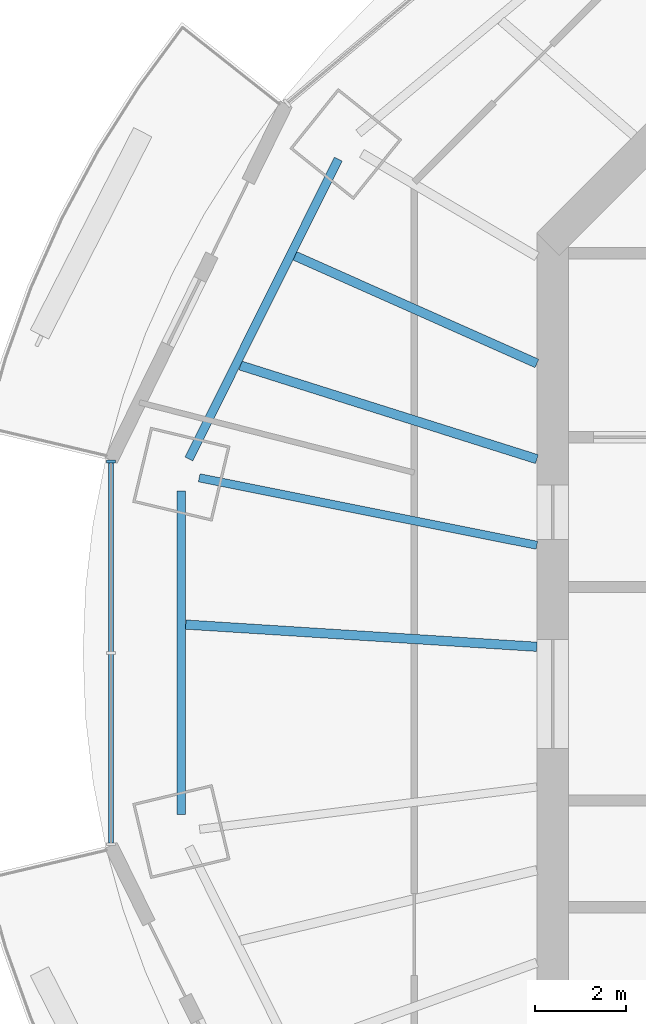
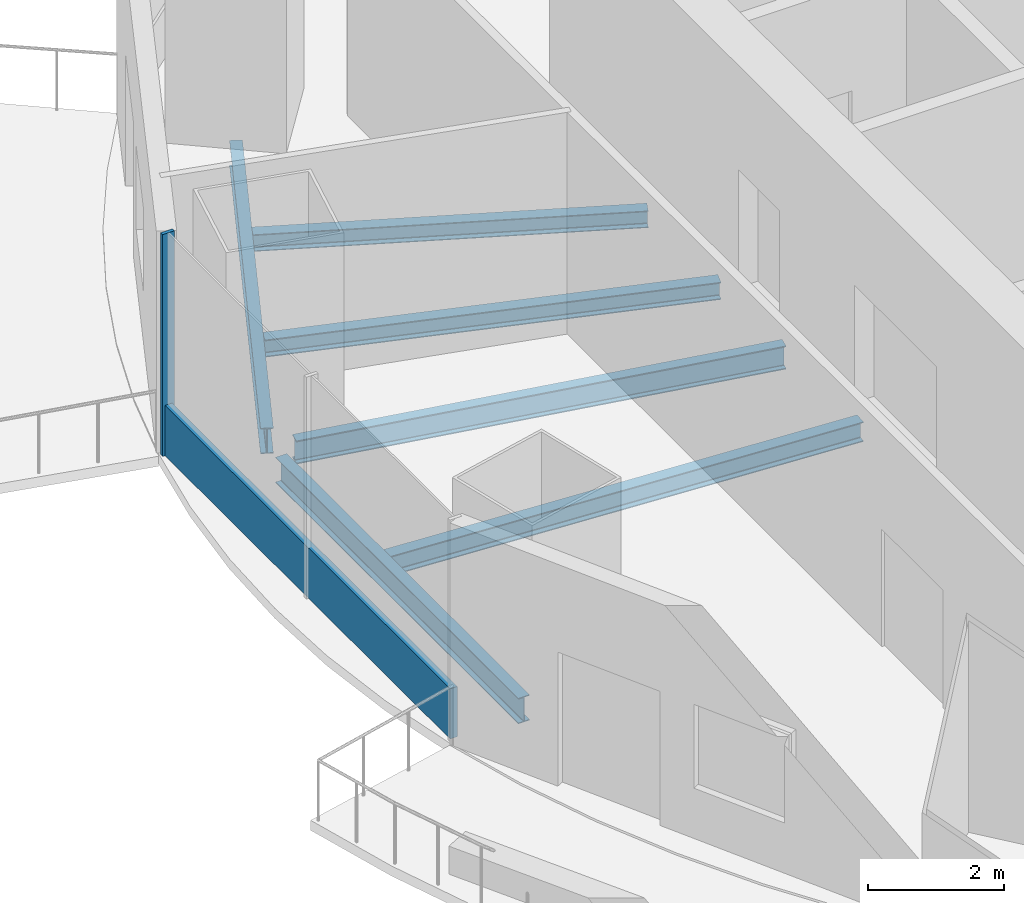
# One storey, part 3 of 16: 6 beams, 2 members, 1 element without a shape of its own.
"""IFC4 building model written with IfcOpenShell, lengths in metres."""

import ifcopenshell
import ifcopenshell.guid

model = None  # the IFC model being written
_history = None  # IfcOwnerHistory: only IFC2X3 demands one
_inside = {}  # id of a spatial element -> (the spatial element, [elements in it])
_under = {}  # id of a project, library or spatial element -> (it, [spatial elements below it])
_declared = {}  # id of a project -> (the project, [libraries it declares])
_typed = {}  # id of a type object -> (the type object, [elements of that type])
_made_of = {}  # id of a material, layer set ... -> (it, [elements and type objects made of it])


def new_model(schema):
    """Start an empty IFC model of exactly this schema.

    Asked for "IFC4X3", IfcOpenShell would pick the latest addendum, in which some entities
    have other attributes; the version numbers below select the first issue.
    IFC2X3 requires an IfcOwnerHistory on every rooted entity: one is made here for all.
    """
    global model, _history
    if schema == "IFC4X3":
        model = ifcopenshell.file(schema_version=(4, 3, 0, 0))
    else:
        model = ifcopenshell.file(schema=schema)
    _inside.clear()
    _under.clear()
    _declared.clear()
    _typed.clear()
    _made_of.clear()
    _history = None
    if model.schema == "IFC2X3":
        org = make("IfcOrganization", Name="unknown")
        user = make(
            "IfcPersonAndOrganization",
            ThePerson=make("IfcPerson", FamilyName="unknown"),
            TheOrganization=org,
        )
        app = make(
            "IfcApplication",
            ApplicationDeveloper=org,
            Version="unknown",
            ApplicationFullName="unknown",
            ApplicationIdentifier="unknown",
        )
        _history = make(
            "IfcOwnerHistory",
            OwningUser=user,
            OwningApplication=app,
            ChangeAction="ADDED",
            CreationDate=0,
        )
    return model


def make(cls, **values):
    """One entity of the class cls with the attributes given. An attribute that is None is left unset."""
    return model.create_entity(
        cls, **{name: value for name, value in values.items() if value is not None}
    )


def rooted(cls, **values):
    """An entity with a GlobalId (a new one), such as an element, a storey or a relation."""
    return make(cls, GlobalId=ifcopenshell.guid.new(), OwnerHistory=_history, **values)


def si_unit(unit_type, name, prefix=None):
    """IfcSIUnit, for example si_unit("LENGTHUNIT", "METRE", prefix="MILLI")."""
    return make("IfcSIUnit", UnitType=unit_type, Prefix=prefix, Name=name)


def assignment(units):
    """IfcUnitAssignment: the units of a project."""
    return None if units is None else make("IfcUnitAssignment", Units=units)


def point(xyz):
    """IfcCartesianPoint."""
    return None if xyz is None else make("IfcCartesianPoint", Coordinates=xyz)


def direction(xyz):
    """IfcDirection."""
    return None if xyz is None else make("IfcDirection", DirectionRatios=xyz)


def frame(location, z_axis=None, x_axis=None):
    """IfcAxis2Placement3D, a coordinate frame: its origin and axes. An axis left out is left unset."""
    return make(
        "IfcAxis2Placement3D",
        Location=point(location),
        Axis=direction(z_axis),
        RefDirection=direction(x_axis),
    )


def frame_2d(location, x_axis=None):
    """IfcAxis2Placement2D, a coordinate frame in the plane: its origin and x axis."""
    return make(
        "IfcAxis2Placement2D", Location=point(location), RefDirection=direction(x_axis)
    )


def origin():
    """The frame at (0, 0, 0) with its axes left unset."""
    return frame((0.0, 0.0, 0.0))


def origin_2d():
    """The frame at (0, 0) in the plane with its x axis left unset."""
    return frame_2d((0.0, 0.0))


def place(relative_to, where):
    """IfcLocalPlacement: puts the frame where relative to a parent placement (None: the world)."""
    return make(
        "IfcLocalPlacement", PlacementRelTo=relative_to, RelativePlacement=where
    )


def context(
    kind, dimensions, precision=None, world=None, true_north=None, identifier=None
):
    """IfcGeometricRepresentationContext, for example the 3D "Model" context."""
    return make(
        "IfcGeometricRepresentationContext",
        ContextIdentifier=identifier,
        ContextType=kind,
        CoordinateSpaceDimension=dimensions,
        Precision=precision,
        WorldCoordinateSystem=world,
        TrueNorth=true_north,
    )


def subcontext(parent, identifier, kind, view, scale=None):
    """IfcGeometricRepresentationSubContext, for example "Body" below "Model"."""
    return make(
        "IfcGeometricRepresentationSubContext",
        ContextIdentifier=identifier,
        ContextType=kind,
        ParentContext=parent,
        TargetScale=scale,
        TargetView=view,
    )


def project(units=None, contexts=None):
    """IfcProject with its units and contexts."""
    return rooted(
        "IfcProject",
        Name="project",
        RepresentationContexts=contexts,
        UnitsInContext=assignment(units),
    )


def spatial(cls, under=None, at=None, **own):
    """A site, building, storey or space (cls), placed at a placement, below another one or the project."""
    s = rooted(cls, ObjectPlacement=at, **own)
    if under is not None:
        _under.setdefault(under.id(), (under, []))[1].append(s)
    return s


def profile(cls, at=None, kind="AREA", **sizes):
    """A parametric profile (cls). Its sizes go by their IFC names, for example OverallWidth=200.0."""
    return make(cls, ProfileType=kind, Position=at, **sizes)


def rectangle(**sizes):
    """IfcRectangleProfileDef."""
    return profile("IfcRectangleProfileDef", **sizes)


def i_section(**sizes):
    """IfcIShapeProfileDef."""
    return profile("IfcIShapeProfileDef", **sizes)


def extrude(swept, where, along, depth):
    """IfcExtrudedAreaSolid: the profile swept, set in the frame where, extruded along a direction by depth."""
    return make(
        "IfcExtrudedAreaSolid",
        SweptArea=swept,
        Position=where,
        ExtrudedDirection=direction(along),
        Depth=depth,
    )


def shape(context_of_items, identifier, shape_type, items):
    """IfcShapeRepresentation: the items that make up one representation, for example the "Body"."""
    return make(
        "IfcShapeRepresentation",
        ContextOfItems=context_of_items,
        RepresentationIdentifier=identifier,
        RepresentationType=shape_type,
        Items=items,
    )


def material(Name=None, Category=None):
    """IfcMaterial."""
    return make("IfcMaterial", Name=Name, Category=Category)


def material_profile(
    of_material, cross_section, Name=None, Category=None, Priority=None
):
    """IfcMaterialProfile: a cross section and its material."""
    return make(
        "IfcMaterialProfile",
        Name=Name,
        Material=of_material,
        Profile=cross_section,
        Priority=Priority,
        Category=Category,
    )


def profile_set(profiles, Name=None, composite=None):
    """IfcMaterialProfileSet."""
    return make(
        "IfcMaterialProfileSet",
        Name=Name,
        MaterialProfiles=profiles,
        CompositeProfile=composite,
    )


def made_of(thing, what):
    """Note that an element or type object is made of a material, layer set ...; save() writes the relation."""
    if what is not None:
        _made_of.setdefault(what.id(), (what, []))[1].append(thing)
    return thing


def type_object(cls, material=None, **own):
    """A type object (cls), such as IfcWallType, which elements share."""
    return made_of(rooted(cls, **own), material)


def element(
    cls,
    number,
    at=None,
    inside=None,
    cuts=None,
    type_object=None,
    material=None,
    context=None,
    identifier="Body",
    shape_type=None,
    held_by="IfcProductDefinitionShape",
    body=None,
    shapes=None,
    **own,
):
    """One element of the class cls, such as IfcWall. Its Tag is "e" and its number.

    at: its placement. inside: the storey or other place that contains it. cuts: it is an
    opening in that element (IfcRelVoidsElement). A single representation is given by context,
    identifier, shape_type and body (its items); several are given by shapes. held_by: the class
    of the entity that holds the representations. save() writes the other relations.
    """
    e = rooted(cls, Tag="e%d" % number, ObjectPlacement=at, **own)
    if body is not None:
        shapes = [shape(context, identifier, shape_type, body)]
    if shapes is not None:
        e.Representation = make(held_by, Representations=shapes)
    if inside is not None:
        _inside.setdefault(inside.id(), (inside, []))[1].append(e)
    if cuts is not None:
        rooted(
            "IfcRelVoidsElement", RelatingBuildingElement=cuts, RelatedOpeningElement=e
        )
    if type_object is not None:
        _typed.setdefault(type_object.id(), (type_object, []))[1].append(e)
    return made_of(e, material)


def aggregate(whole, parts):
    """IfcRelAggregates: a whole, such as a stair, and the parts it consists of."""
    return rooted("IfcRelAggregates", RelatingObject=whole, RelatedObjects=parts)


def save(model, path):
    """Write the relations noted so far, then the file.

    IfcRelAggregates (storeys below a building ...), IfcRelContainedInSpatialStructure (elements
    in a storey), IfcRelDefinesByType, IfcRelAssociatesMaterial and IfcRelDeclares: one each for
    every whole, place, type object, material and project.
    """
    for whole, parts in _under.values():
        aggregate(whole, parts)
    for where, things in _inside.values():
        rooted(
            "IfcRelContainedInSpatialStructure",
            RelatedElements=things,
            RelatingStructure=where,
        )
    for kind, things in _typed.values():
        rooted("IfcRelDefinesByType", RelatedObjects=things, RelatingType=kind)
    for what, things in _made_of.values():
        rooted("IfcRelAssociatesMaterial", RelatedObjects=things, RelatingMaterial=what)
    for by, libraries in _declared.values():
        rooted("IfcRelDeclares", RelatingContext=by, RelatedDefinitions=libraries)
    model.write(path)


model = new_model("IFC4")

# Units and contexts
model_context = context("Model", 3, precision=1e-05, world=origin(), true_north=direction((0.0, 1.0)))
body_context = subcontext(model_context, "Body", "Model", "MODEL_VIEW")
ifc_project = project(units=[si_unit("LENGTHUNIT", "METRE"), si_unit("AREAUNIT", "SQUARE_METRE"), si_unit("VOLUMEUNIT", "CUBIC_METRE"), si_unit("PLANEANGLEUNIT", "RADIAN"), si_unit("MASSUNIT", "GRAM", prefix="KILO")], contexts=[model_context])

# Site, building, storey
site_placement = place(None, origin())
site = spatial("IfcSite", under=ifc_project, at=site_placement, CompositionType="ELEMENT")
building_placement = place(site_placement, origin())
building = spatial("IfcBuilding", under=site, at=building_placement, Name="Marenthal Gate Tower", CompositionType="ELEMENT")
storey_placement = place(building_placement, frame((0.0, 0.0, 371.64990234375)))
storey = spatial("IfcBuildingStorey", under=building, at=storey_placement, Name="L84", CompositionType="ELEMENT", Elevation=371.64990234375)

# Curtain wall, members
ifc_material_1 = material(Name="Aluminium and glass", Category="aluminium")
curtain_wall_type = type_object("IfcCurtainWallType", Name="Curtain wall typical high", PredefinedType="NOTDEFINED", material=ifc_material_1)
curtain_wall_placement = place(storey_placement, origin())
curtain_wall = element("IfcCurtainWall", 1, at=curtain_wall_placement, inside=storey, type_object=curtain_wall_type, Name="Curtain wall L84 bay 8", PredefinedType="NOTDEFINED")
ifc_material_2 = material(Name="Aluminium", Category="aluminium")
ifc_material_profile_1 = material_profile(ifc_material_2, rectangle(XDim=0.199951171875, YDim=0.06005859375, at=origin_2d()), Name="60x200 aluminium mullion")
ifc_profile_set_1 = profile_set([ifc_material_profile_1], Name="Aluminium")
member_type_1 = type_object("IfcMemberType", Name="Mullion 60x200 typical high", PredefinedType="MULLION", material=ifc_profile_set_1)
member_1_placement = place(storey_placement, frame((-25.725830078125, 5.1123046875, 0.0), z_axis=(0.0, 0.0, 1.0), x_axis=(1.0, 0.0, 0.0)))
member_1 = element("IfcMember", 2, at=member_1_placement, type_object=member_type_1, Name="Mullion L84 bay 8.1", PredefinedType="MULLION", context=body_context, shape_type="SweptSolid", body=[
    extrude(rectangle(XDim=0.199951171875, YDim=0.06005859375, at=origin_2d()), origin(), (0.0, 0.0, 1.0), 3.97021484375),
])
ifc_material_3 = material(Name="Aluminium", Category="aluminium")
ifc_material_profile_2 = material_profile(ifc_material_3, rectangle(XDim=0.1201171875, YDim=0.89990234375, at=origin_2d()), Name="120x900 aluminium transom")
ifc_profile_set_2 = profile_set([ifc_material_profile_2], Name="Aluminium")
member_type_2 = type_object("IfcMemberType", Name="Transom 120x900 typical high", PredefinedType="USERDEFINED", material=ifc_profile_set_2)
member_2_placement = place(storey_placement, frame((-25.725830078125, 5.082275390625, 0.4501953125), z_axis=(0.0, -1.0, 0.0), x_axis=(1.0, 0.0, 0.0)))
member_2 = element("IfcMember", 3, at=member_2_placement, type_object=member_type_2, Name="Transom L84 bay 8", ObjectType="TRANSOM", PredefinedType="USERDEFINED", context=body_context, shape_type="SweptSolid", body=[
    extrude(rectangle(XDim=0.1201171875, YDim=0.89990234375, at=origin_2d()), origin(), (0.0, 0.0, 1.0), 8.364501953125),
])
aggregate(curtain_wall, [member_1, member_2])

# Beams
ifc_material_4 = material(Name="Steel S355", Category="steel")
ifc_material_profile_3 = material_profile(ifc_material_4, i_section(OverallWidth=0.202880859375, OverallDepth=0.302001953125, WebThickness=0.007568359375, FlangeThickness=0.01318359375, FilletRadius=0.0126953125, at=origin_2d()), Name="W310X60")
ifc_profile_set_3 = profile_set([ifc_material_profile_3], Name="Steel S355")
beam_type_1 = type_object("IfcBeamType", Name="W310X60 beam", PredefinedType="BEAM", material=ifc_profile_set_3)
beam_1_placement = place(storey_placement, frame((-21.67578125, 9.64111328125, -0.330810546875), z_axis=(0.913704426496, -0.406379405238, 0.0), x_axis=(0.406379405238, 0.913704426496, 0.0)))
element("IfcBeam", 4, at=beam_1_placement, inside=storey, type_object=beam_type_1, Name="BM-L84-26", PredefinedType="BEAM", context=body_context, shape_type="SweptSolid", body=[
    extrude(i_section(OverallWidth=0.202880859375, OverallDepth=0.302001953125, WebThickness=0.007568359375, FlangeThickness=0.01318359375, FilletRadius=0.0126953125, at=origin_2d()), origin(), (0.0, 0.0, 1.0), 5.82861328125),
])
ifc_material_5 = material(Name="Steel S355", Category="steel")
ifc_material_profile_4 = material_profile(ifc_material_5, i_section(OverallWidth=0.205078125, OverallDepth=0.31005859375, WebThickness=0.009521484375, FlangeThickness=0.016357421875, FilletRadius=0.0126953125, at=origin_2d()), Name="W310X74")
ifc_profile_set_4 = profile_set([ifc_material_profile_4], Name="Steel S355")
beam_type_2 = type_object("IfcBeamType", Name="W310X74 beam", PredefinedType="BEAM", material=ifc_profile_set_4)
beam_2_placement = place(storey_placement, frame((-22.87744140625, 7.227783203125, -0.3349609375), z_axis=(0.953541151645, -0.301262795779, 0.0), x_axis=(0.301262795779, 0.953541151645, 0.0)))
element("IfcBeam", 5, at=beam_2_placement, inside=storey, type_object=beam_type_2, Name="BM-L84-27", PredefinedType="BEAM", context=body_context, shape_type="SweptSolid", body=[
    extrude(i_section(OverallWidth=0.205078125, OverallDepth=0.31005859375, WebThickness=0.009521484375, FlangeThickness=0.016357421875, FilletRadius=0.0126953125, at=origin_2d()), origin(), (0.0, 0.0, 1.0), 6.845458984375),
])
ifc_material_6 = material(Name="Steel S355", Category="steel")
ifc_material_profile_5 = material_profile(ifc_material_6, i_section(OverallWidth=0.205078125, OverallDepth=0.35302734375, WebThickness=0.009521484375, FlangeThickness=0.016845703125, FilletRadius=0.014892578125, at=origin_2d()), Name="W360X79")
ifc_profile_set_5 = profile_set([ifc_material_profile_5], Name="Steel S355")
beam_type_3 = type_object("IfcBeamType", Name="W360X79 beam", PredefinedType="BEAM", material=ifc_profile_set_5)
beam_3_placement = place(storey_placement, frame((-24.080810546875, 1.5234375, -0.3564453125), z_axis=(0.998003339488, -0.063161177715, 0.0), x_axis=(0.063161177715, 0.998003339488, 0.0)))
element("IfcBeam", 6, at=beam_3_placement, inside=storey, type_object=beam_type_3, Name="BM-L84-28", PredefinedType="BEAM", context=body_context, shape_type="SweptSolid", body=[
    extrude(i_section(OverallWidth=0.205078125, OverallDepth=0.35302734375, WebThickness=0.009521484375, FlangeThickness=0.016845703125, FilletRadius=0.014892578125, at=origin_2d()), origin(), (0.0, 0.0, 1.0), 7.74609375),
])
ifc_material_7 = material(Name="Steel S355", Category="steel")
ifc_material_profile_6 = material_profile(ifc_material_7, i_section(OverallWidth=0.180908203125, OverallDepth=0.4169921875, WebThickness=0.010986328125, FlangeThickness=0.018310546875, FilletRadius=0.01025390625, at=origin_2d()), Name="W410X85")
ifc_profile_set_6 = profile_set([ifc_material_profile_6], Name="Steel S355")
beam_type_4 = type_object("IfcBeamType", Name="W410X85 beam", PredefinedType="BEAM", material=ifc_profile_set_6)
beam_4_placement = place(storey_placement, frame((-23.783447265625, 4.75537109375, -0.388427734375), z_axis=(0.980595537477, -0.196041811562, 0.0), x_axis=(0.196041811562, 0.980595537477, 0.0)))
element("IfcBeam", 7, at=beam_4_placement, inside=storey, type_object=beam_type_4, Name="BM-L84-08", PredefinedType="BEAM", context=body_context, shape_type="SweptSolid", body=[
    extrude(i_section(OverallWidth=0.180908203125, OverallDepth=0.4169921875, WebThickness=0.010986328125, FlangeThickness=0.018310546875, FilletRadius=0.01025390625, at=origin_2d()), origin(), (0.0, 0.0, 1.0), 7.580322265625),
])
ifc_material_8 = material(Name="Steel S355", Category="steel")
ifc_material_profile_7 = material_profile(ifc_material_8, i_section(OverallWidth=0.19091796875, OverallDepth=0.45703125, WebThickness=0.009033203125, FlangeThickness=0.014404296875, FilletRadius=0.01025390625, at=origin_2d()), Name="W460X74")
ifc_profile_set_7 = profile_set([ifc_material_profile_7], Name="Steel S355")
beam_type_5 = type_object("IfcBeamType", Name="W460X74 beam", PredefinedType="BEAM", material=ifc_profile_set_7)
beam_5_placement = place(storey_placement, frame((-20.721435546875, 11.77197265625, -0.408447265625), z_axis=(-0.445757037606, -0.895153988666, 0.0), x_axis=(0.895153988666, -0.445757037606, 0.0)))
element("IfcBeam", 8, at=beam_5_placement, inside=storey, type_object=beam_type_5, Name="BM-L84-45", PredefinedType="BEAM", context=body_context, shape_type="SweptSolid", body=[
    extrude(i_section(OverallWidth=0.19091796875, OverallDepth=0.45703125, WebThickness=0.009033203125, FlangeThickness=0.014404296875, FilletRadius=0.01025390625, at=origin_2d()), origin(), (0.0, 0.0, 1.0), 7.3779296875),
])
beam_6_placement = place(storey_placement, frame((-24.17626953125, 4.4599609375, -0.408447265625), z_axis=(0.0, -1.0, 0.0), x_axis=(1.0, 0.0, 0.0)))
element("IfcBeam", 9, at=beam_6_placement, inside=storey, type_object=beam_type_5, Name="BM-L84-46", PredefinedType="BEAM", context=body_context, shape_type="SweptSolid", body=[
    extrude(i_section(OverallWidth=0.19091796875, OverallDepth=0.45703125, WebThickness=0.009033203125, FlangeThickness=0.014404296875, FilletRadius=0.01025390625, at=origin_2d()), origin(), (0.0, 0.0, 1.0), 7.119873046875),
])

save(model, "model.ifc")
